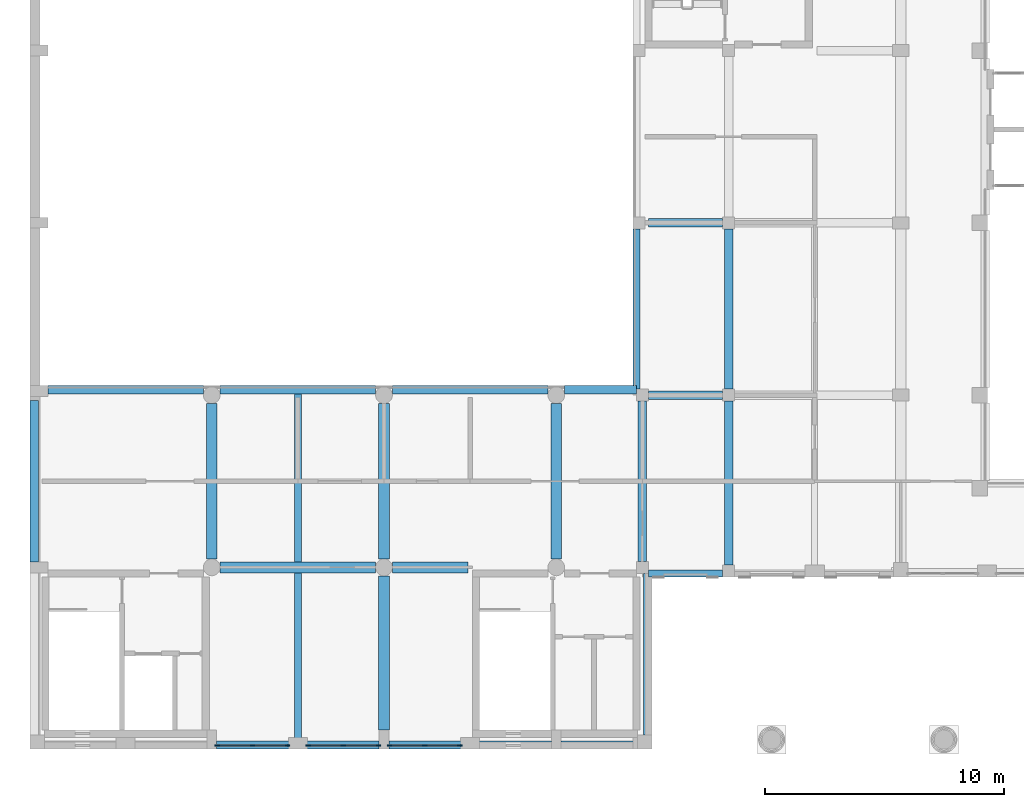
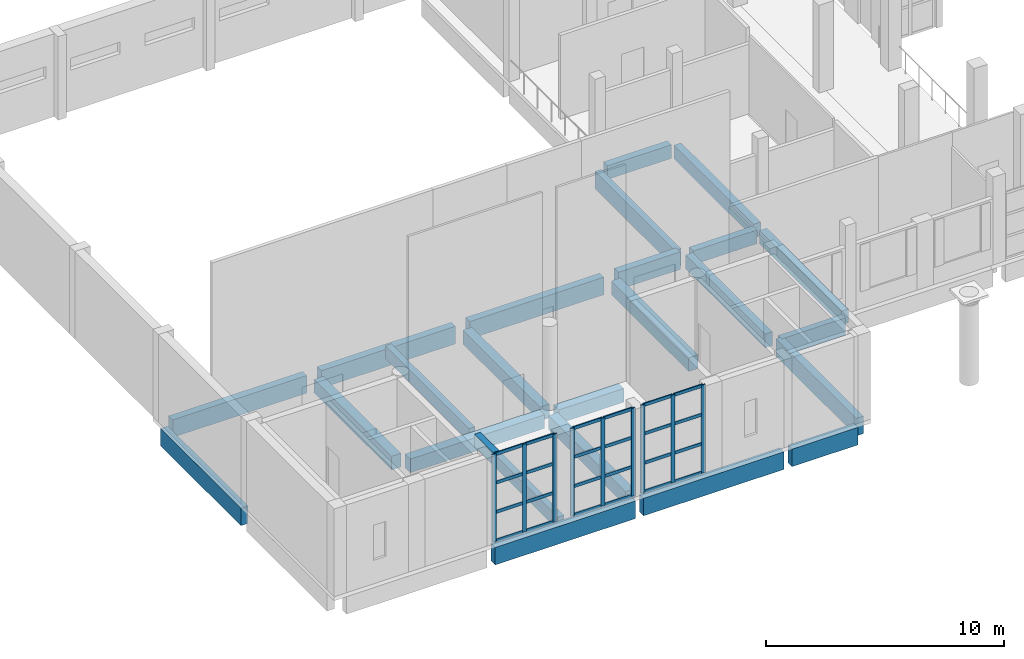
# One storey, part 3 of 59: 33 members, 24 beams, 3 elements without a shape of their own.
"""IFC4 building model written with IfcOpenShell, lengths in metres."""

from ifc_helpers import new_model, si_unit, direction, frame, origin, origin_2d, place, context, subcontext, project, spatial, rectangle, extrude, material, layer, layer_set, material_profile, profile_set, type_object, element, aggregate, save


model = new_model("IFC4")

# Units and contexts
model_context = context("Model", 3, precision=1e-05, world=origin(), true_north=direction((0.0, 1.0)))
body_context = subcontext(model_context, "Body", "Model", "MODEL_VIEW")
ifc_project = project(units=[si_unit("LENGTHUNIT", "METRE"), si_unit("AREAUNIT", "SQUARE_METRE"), si_unit("VOLUMEUNIT", "CUBIC_METRE"), si_unit("PLANEANGLEUNIT", "RADIAN"), si_unit("MASSUNIT", "GRAM", prefix="KILO")], contexts=[model_context])

# Site, building, storey
site_placement = place(None, origin())
site = spatial("IfcSite", under=ifc_project, at=site_placement, CompositionType="ELEMENT")
building_placement = place(site_placement, origin())
building = spatial("IfcBuilding", under=site, at=building_placement, Name="Ussher Court Research Institute", CompositionType="ELEMENT")
storey_placement = place(building_placement, frame((0.0, 0.0, 5.39990234375)))
storey = spatial("IfcBuildingStorey", under=building, at=storey_placement, Name="L01", CompositionType="ELEMENT", Elevation=5.39990234375)

# Curtain wall, members
ifc_material_1 = material(Name="Bronze anodised aluminium with low-e glass", Category="aluminium")
ifc_layer = layer(ifc_material_1, 0.159912109375)
ifc_layer_set = layer_set([ifc_layer], Name="Bronze anodised aluminium with low-e glass")
curtain_wall_type = type_object("IfcCurtainWallType", Name="Curtain wall lecture theatre gable glazing", PredefinedType="NOTDEFINED", material=ifc_layer_set)
curtain_wall_1_placement = place(storey_placement, origin())
curtain_wall_1 = element("IfcCurtainWall", 1, at=curtain_wall_1_placement, inside=storey, type_object=curtain_wall_type, Name="Curtain wall CW5 L01", PredefinedType="NOTDEFINED")
ifc_material_2 = material(Name="Bronze anodised aluminium", Category="aluminium")
ifc_material_profile_1 = material_profile(ifc_material_2, rectangle(XDim=0.06005859375, YDim=0.199951171875, at=origin_2d()), Name="Mullion 60x200")
ifc_profile_set_1 = profile_set([ifc_material_profile_1], Name="Bronze anodised aluminium")
member_type_1 = type_object("IfcMemberType", Name="Mullion 60x200", PredefinedType="MULLION", material=ifc_profile_set_1)
member_1_placement = place(storey_placement, frame((20.570068359375, 3.75, 0.0), z_axis=(0.0, 0.0, 1.0), x_axis=(0.0, -1.0, 0.0)))
member_1 = element("IfcMember", 2, at=member_1_placement, type_object=member_type_1, Name="CW5 mullion 1", PredefinedType="MULLION", context=body_context, shape_type="SweptSolid", body=[
    extrude(rectangle(XDim=0.06005859375, YDim=0.199951171875, at=origin_2d()), origin(), (0.0, 0.0, 1.0), 4.5),
])
member_2_placement = place(storey_placement, frame((19.10009765625, 3.75, 0.0), z_axis=(0.0, 0.0, 1.0), x_axis=(0.0, -1.0, 0.0)))
member_2 = element("IfcMember", 3, at=member_2_placement, type_object=member_type_1, Name="CW5 mullion 2", PredefinedType="MULLION", context=body_context, shape_type="SweptSolid", body=[
    extrude(rectangle(XDim=0.06005859375, YDim=0.199951171875, at=origin_2d()), origin(), (0.0, 0.0, 1.0), 4.5),
])
member_3_placement = place(storey_placement, frame((17.6298828125, 3.75, 0.0), z_axis=(0.0, 0.0, 1.0), x_axis=(0.0, -1.0, 0.0)))
member_3 = element("IfcMember", 4, at=member_3_placement, type_object=member_type_1, Name="CW5 mullion 3", PredefinedType="MULLION", context=body_context, shape_type="SweptSolid", body=[
    extrude(rectangle(XDim=0.06005859375, YDim=0.199951171875, at=origin_2d()), origin(), (0.0, 0.0, 1.0), 4.5),
])

curtain_wall_2_placement = place(storey_placement, origin())
curtain_wall_2 = element("IfcCurtainWall", 5, at=curtain_wall_2_placement, inside=storey, type_object=curtain_wall_type, Name="Curtain wall CW5 L01", PredefinedType="NOTDEFINED")
member_4_placement = place(storey_placement, frame((17.169921875, 3.75, 0.0), z_axis=(0.0, 0.0, 1.0), x_axis=(0.0, -1.0, 0.0)))
member_4 = element("IfcMember", 6, at=member_4_placement, type_object=member_type_1, Name="CW5 mullion 1", PredefinedType="MULLION", context=body_context, shape_type="SweptSolid", body=[
    extrude(rectangle(XDim=0.06005859375, YDim=0.199951171875, at=origin_2d()), origin(), (0.0, 0.0, 1.0), 4.5),
])
member_5_placement = place(storey_placement, frame((15.699951171875, 3.75, 0.0), z_axis=(0.0, 0.0, 1.0), x_axis=(0.0, -1.0, 0.0)))
member_5 = element("IfcMember", 7, at=member_5_placement, type_object=member_type_1, Name="CW5 mullion 2", PredefinedType="MULLION", context=body_context, shape_type="SweptSolid", body=[
    extrude(rectangle(XDim=0.06005859375, YDim=0.199951171875, at=origin_2d()), origin(), (0.0, 0.0, 1.0), 4.5),
])
member_6_placement = place(storey_placement, frame((14.22998046875, 3.75, 0.0), z_axis=(0.0, 0.0, 1.0), x_axis=(0.0, -1.0, 0.0)))
member_6 = element("IfcMember", 8, at=member_6_placement, type_object=member_type_1, Name="CW5 mullion 3", PredefinedType="MULLION", context=body_context, shape_type="SweptSolid", body=[
    extrude(rectangle(XDim=0.06005859375, YDim=0.199951171875, at=origin_2d()), origin(), (0.0, 0.0, 1.0), 4.5),
])

curtain_wall_3_placement = place(storey_placement, origin())
curtain_wall_3 = element("IfcCurtainWall", 9, at=curtain_wall_3_placement, inside=storey, type_object=curtain_wall_type, Name="Curtain wall CW5 L01", PredefinedType="NOTDEFINED")
member_7_placement = place(storey_placement, frame((13.3701171875, 3.75, 0.0), z_axis=(0.0, 0.0, 1.0), x_axis=(0.0, -1.0, 0.0)))
member_7 = element("IfcMember", 10, at=member_7_placement, type_object=member_type_1, Name="CW5 mullion 1", PredefinedType="MULLION", context=body_context, shape_type="SweptSolid", body=[
    extrude(rectangle(XDim=0.06005859375, YDim=0.199951171875, at=origin_2d()), origin(), (0.0, 0.0, 1.0), 4.5),
])
member_8_placement = place(storey_placement, frame((11.89990234375, 3.75, 0.0), z_axis=(0.0, 0.0, 1.0), x_axis=(0.0, -1.0, 0.0)))
member_8 = element("IfcMember", 11, at=member_8_placement, type_object=member_type_1, Name="CW5 mullion 2", PredefinedType="MULLION", context=body_context, shape_type="SweptSolid", body=[
    extrude(rectangle(XDim=0.06005859375, YDim=0.199951171875, at=origin_2d()), origin(), (0.0, 0.0, 1.0), 4.5),
])
member_9_placement = place(storey_placement, frame((10.429931640625, 3.75, 0.0), z_axis=(0.0, 0.0, 1.0), x_axis=(0.0, -1.0, 0.0)))
member_9 = element("IfcMember", 12, at=member_9_placement, type_object=member_type_1, Name="CW5 mullion 3", PredefinedType="MULLION", context=body_context, shape_type="SweptSolid", body=[
    extrude(rectangle(XDim=0.06005859375, YDim=0.199951171875, at=origin_2d()), origin(), (0.0, 0.0, 1.0), 4.5),
])

# Beams
ifc_material_3 = material(Name="Concrete C35/45", Category="concrete")
ifc_material_profile_2 = material_profile(ifc_material_3, rectangle(XDim=0.300048828125, YDim=0.64990234375, at=origin_2d()), Name="RC 300x650")
ifc_profile_set_2 = profile_set([ifc_material_profile_2], Name="Concrete C35/45")
beam_type_1 = type_object("IfcBeamType", Name="RC 300x650 beam", PredefinedType="BEAM", material=ifc_profile_set_2)
beam_1_placement = place(storey_placement, frame((13.800048828125, 3.949951171875, -0.324951171875), z_axis=(0.0, 1.0, 0.0), x_axis=(-1.0, 0.0, 0.0)))
element("IfcBeam", 13, at=beam_1_placement, inside=storey, type_object=beam_type_1, Name="B4 V1 L01-01", PredefinedType="BEAM", context=body_context, shape_type="SweptSolid", body=[
    extrude(rectangle(XDim=0.300048828125, YDim=0.64990234375, at=origin_2d()), origin(), (0.0, 0.0, 1.0), 7.025146484375),
])
beam_2_placement = place(storey_placement, frame((13.800048828125, 11.425048828125, -0.324951171875), z_axis=(0.0, 1.0, 0.0), x_axis=(-1.0, 0.0, 0.0)))
element("IfcBeam", 14, at=beam_2_placement, inside=storey, type_object=beam_type_1, Name="B4 V1 L01-02", PredefinedType="BEAM", context=body_context, shape_type="SweptSolid", body=[
    extrude(rectangle(XDim=0.300048828125, YDim=0.64990234375, at=origin_2d()), origin(), (0.0, 0.0, 1.0), 7.02490234375),
])
ifc_material_4 = material(Name="Concrete C35/45", Category="concrete")
ifc_material_profile_3 = material_profile(ifc_material_4, rectangle(XDim=0.300048828125, YDim=0.89990234375, at=origin_2d()), Name="RC 300x900")
ifc_profile_set_3 = profile_set([ifc_material_profile_3], Name="Concrete C35/45")
beam_type_2 = type_object("IfcBeamType", Name="RC 300x900 beam", PredefinedType="BEAM", material=ifc_profile_set_3)
beam_3_placement = place(storey_placement, frame((28.449951171875, 10.949951171875, -0.64990234375), z_axis=(1.0, 0.0, 0.0), x_axis=(0.0, 1.0, 0.0)))
element("IfcBeam", 15, at=beam_3_placement, inside=storey, type_object=beam_type_2, Name="SB2 V7 L01-01", PredefinedType="BEAM", context=body_context, shape_type="SweptSolid", body=[
    extrude(rectangle(XDim=0.300048828125, YDim=0.89990234375, at=origin_2d()), origin(), (0.0, 0.0, 1.0), 3.10009765625),
])
beam_4_placement = place(storey_placement, frame((27.949951171875, 18.64990234375, -0.64990234375), z_axis=(0.0, 1.0, 0.0), x_axis=(-1.0, 0.0, 0.0)))
element("IfcBeam", 16, at=beam_4_placement, inside=storey, type_object=beam_type_2, Name="SB2 V7 L01-11", PredefinedType="BEAM", context=body_context, shape_type="SweptSolid", body=[
    extrude(rectangle(XDim=0.300048828125, YDim=0.89990234375, at=origin_2d()), origin(), (0.0, 0.0, 1.0), 6.7001953125),
])
ifc_material_5 = material(Name="Concrete C35/45", Category="concrete")
ifc_material_profile_4 = material_profile(ifc_material_5, rectangle(XDim=0.35009765625, YDim=0.699951171875, at=origin_2d()), Name="RC 350x700")
ifc_profile_set_4 = profile_set([ifc_material_profile_4], Name="Concrete C35/45")
beam_type_3 = type_object("IfcBeamType", Name="RC 350x700 beam", PredefinedType="BEAM", material=ifc_profile_set_4)
for number, where, z_axis, x_axis, name in (
    (17, (28.449951171875, 18.39990234375, -0.5498046875), (1.0, 0.0, 0.0), (0.0, 1.0, 0.0), "B16 V7 L01-01"),
    (18, (28.449951171875, 25.60009765625, -0.5498046875), (1.0, 0.0, 0.0), (0.0, 1.0, 0.0), "B16 V7 L01-06"),
):
    element("IfcBeam", number, at=place(storey_placement, frame(where, z_axis=z_axis, x_axis=x_axis)), inside=storey, type_object=beam_type_3, Name=name, PredefinedType="BEAM", context=body_context, shape_type="SweptSolid", body=[
        extrude(rectangle(XDim=0.35009765625, YDim=0.699951171875, at=origin_2d()), origin(), (0.0, 0.0, 1.0), 3.10009765625),
    ])
beam_5_placement = place(storey_placement, frame((28.199951171875, 11.449951171875, -0.5498046875), z_axis=(0.0, 1.0, 0.0), x_axis=(-1.0, 0.0, 0.0)))
element("IfcBeam", 19, at=beam_5_placement, inside=storey, type_object=beam_type_3, Name="B16 V7 L01-14", PredefinedType="BEAM", context=body_context, shape_type="SweptSolid", body=[
    extrude(rectangle(XDim=0.35009765625, YDim=0.699951171875, at=origin_2d()), origin(), (0.0, 0.0, 1.0), 6.699951171875),
])
beam_6_placement = place(storey_placement, frame((31.800048828125, 11.300048828125, -0.5498046875), z_axis=(0.0, 1.0, 0.0), x_axis=(-1.0, 0.0, 0.0)))
element("IfcBeam", 20, at=beam_6_placement, inside=storey, type_object=beam_type_3, Name="B16 V7 L01-15", PredefinedType="BEAM", context=body_context, shape_type="SweptSolid", body=[
    extrude(rectangle(XDim=0.35009765625, YDim=0.699951171875, at=origin_2d()), origin(), (0.0, 0.0, 1.0), 6.849853515625),
])
beam_7_placement = place(storey_placement, frame((31.800048828125, 18.64990234375, -0.5498046875), z_axis=(0.0, 1.0, 0.0), x_axis=(-1.0, 0.0, 0.0)))
element("IfcBeam", 21, at=beam_7_placement, inside=storey, type_object=beam_type_3, Name="B16 V7 L01-16", PredefinedType="BEAM", context=body_context, shape_type="SweptSolid", body=[
    extrude(rectangle(XDim=0.35009765625, YDim=0.699951171875, at=origin_2d()), origin(), (0.0, 0.0, 1.0), 6.7001953125),
])
ifc_material_6 = material(Name="Concrete C35/45", Category="concrete")
ifc_material_profile_5 = material_profile(ifc_material_6, rectangle(XDim=0.35009765625, YDim=0.89990234375, at=origin_2d()), Name="RC 350x900")
ifc_profile_set_5 = profile_set([ifc_material_profile_5], Name="Concrete C35/45")
beam_type_4 = type_object("IfcBeamType", Name="RC 350x900 beam", PredefinedType="BEAM", material=ifc_profile_set_5)
beam_8_placement = place(storey_placement, frame((10.39990234375, 3.77490234375, -0.64990234375), z_axis=(1.0, 0.0, 0.0), x_axis=(0.0, 1.0, 0.0)))
element("IfcBeam", 22, at=beam_8_placement, inside=storey, type_object=beam_type_4, Name="SB1 V1 L01-02", PredefinedType="BEAM", context=body_context, shape_type="SweptSolid", body=[
    extrude(rectangle(XDim=0.35009765625, YDim=0.89990234375, at=origin_2d()), origin(), (0.0, 0.0, 1.0), 6.800048828125),
])
beam_9_placement = place(storey_placement, frame((17.60009765625, 3.77490234375, -0.64990234375), z_axis=(1.0, 0.0, 0.0), x_axis=(0.0, 1.0, 0.0)))
element("IfcBeam", 23, at=beam_9_placement, inside=storey, type_object=beam_type_4, Name="SB1 V1 L01-03", PredefinedType="BEAM", context=body_context, shape_type="SweptSolid", body=[
    extrude(rectangle(XDim=0.35009765625, YDim=0.89990234375, at=origin_2d()), origin(), (0.0, 0.0, 1.0), 6.7998046875),
])
beam_10_placement = place(storey_placement, frame((24.800048828125, 3.77490234375, -0.64990234375), z_axis=(1.0, 0.0, 0.0), x_axis=(0.0, 1.0, 0.0)))
element("IfcBeam", 24, at=beam_10_placement, inside=storey, type_object=beam_type_4, Name="SB1 V1 L01-04", PredefinedType="BEAM", context=body_context, shape_type="SweptSolid", body=[
    extrude(rectangle(XDim=0.35009765625, YDim=0.89990234375, at=origin_2d()), origin(), (0.0, 0.0, 1.0), 3.199951171875),
])
for number, where, z_axis, x_axis, name in (
    (25, (3.35009765625, 18.625, -0.64990234375), (1.0, 0.0, 0.0), (0.0, 1.0, 0.0), "SB1 V1 L01-05"),
    (26, (10.550048828125, 18.625, -0.64990234375), (1.0, 0.0, 0.0), (0.0, 1.0, 0.0), "SB1 V1 L01-06"),
    (27, (17.75, 18.625, -0.64990234375), (1.0, 0.0, 0.0), (0.0, 1.0, 0.0), "SB1 V1 L01-07"),
):
    element("IfcBeam", number, at=place(storey_placement, frame(where, z_axis=z_axis, x_axis=x_axis)), inside=storey, type_object=beam_type_4, Name=name, PredefinedType="BEAM", context=body_context, shape_type="SweptSolid", body=[
        extrude(rectangle(XDim=0.35009765625, YDim=0.89990234375, at=origin_2d()), origin(), (0.0, 0.0, 1.0), 6.5),
    ])
beam_11_placement = place(storey_placement, frame((24.949951171875, 18.625, -0.64990234375), z_axis=(1.0, 0.0, 0.0), x_axis=(0.0, 1.0, 0.0)))
element("IfcBeam", 28, at=beam_11_placement, inside=storey, type_object=beam_type_4, Name="SB1 V1 L01-08", PredefinedType="BEAM", context=body_context, shape_type="SweptSolid", body=[
    extrude(rectangle(XDim=0.35009765625, YDim=0.89990234375, at=origin_2d()), origin(), (0.0, 0.0, 1.0), 3.0),
])
for number, where, z_axis, x_axis, name in (
    (29, (2.77490234375, 11.425048828125, -0.64990234375), (0.0, 1.0, 0.0), (-1.0, 0.0, 0.0), "SB1 V1 L01-10"),
    (30, (28.425048828125, 4.199951171875, -0.64990234375), (0.0, 1.0, 0.0), (-1.0, 0.0, 0.0), "SB1 V1 L01-11"),
):
    element("IfcBeam", number, at=place(storey_placement, frame(where, z_axis=z_axis, x_axis=x_axis)), inside=storey, type_object=beam_type_4, Name=name, PredefinedType="BEAM", context=body_context, shape_type="SweptSolid", body=[
        extrude(rectangle(XDim=0.35009765625, YDim=0.89990234375, at=origin_2d()), origin(), (0.0, 0.0, 1.0), 6.75),
    ])
ifc_material_7 = material(Name="Concrete C35/45", Category="concrete")
ifc_material_profile_6 = material_profile(ifc_material_7, rectangle(XDim=0.449951171875, YDim=0.699951171875, at=origin_2d()), Name="RC 450x700")
ifc_profile_set_6 = profile_set([ifc_material_profile_6], Name="Concrete C35/45")
beam_type_5 = type_object("IfcBeamType", Name="RC 450x700 beam", PredefinedType="BEAM", material=ifc_profile_set_6)
beam_12_placement = place(storey_placement, frame((10.550048828125, 11.199951171875, -0.5498046875), z_axis=(1.0, 0.0, 0.0), x_axis=(0.0, 1.0, 0.0)))
element("IfcBeam", 31, at=beam_12_placement, inside=storey, type_object=beam_type_5, Name="B10 V1 L01-01", PredefinedType="BEAM", context=body_context, shape_type="SweptSolid", body=[
    extrude(rectangle(XDim=0.449951171875, YDim=0.699951171875, at=origin_2d()), origin(), (0.0, 0.0, 1.0), 6.5),
])
beam_13_placement = place(storey_placement, frame((17.75, 11.199951171875, -0.5498046875), z_axis=(1.0, 0.0, 0.0), x_axis=(0.0, 1.0, 0.0)))
element("IfcBeam", 32, at=beam_13_placement, inside=storey, type_object=beam_type_5, Name="B10 V1 L01-02", PredefinedType="BEAM", context=body_context, shape_type="SweptSolid", body=[
    extrude(rectangle(XDim=0.449951171875, YDim=0.699951171875, at=origin_2d()), origin(), (0.0, 0.0, 1.0), 3.14990234375),
])
beam_14_placement = place(storey_placement, frame((10.199951171875, 11.550048828125, -0.5498046875), z_axis=(0.0, 1.0, 0.0), x_axis=(-1.0, 0.0, 0.0)))
element("IfcBeam", 33, at=beam_14_placement, inside=storey, type_object=beam_type_5, Name="B10 V1 L01-03", PredefinedType="BEAM", context=body_context, shape_type="SweptSolid", body=[
    extrude(rectangle(XDim=0.449951171875, YDim=0.699951171875, at=origin_2d()), origin(), (0.0, 0.0, 1.0), 6.5),
])
beam_15_placement = place(storey_placement, frame((17.39990234375, 4.39990234375, -0.5498046875), z_axis=(0.0, 1.0, 0.0), x_axis=(-1.0, 0.0, 0.0)))
element("IfcBeam", 34, at=beam_15_placement, inside=storey, type_object=beam_type_5, Name="B10 V1 L01-04", PredefinedType="BEAM", context=body_context, shape_type="SweptSolid", body=[
    extrude(rectangle(XDim=0.449951171875, YDim=0.699951171875, at=origin_2d()), origin(), (0.0, 0.0, 1.0), 6.4501953125),
])
for number, where, z_axis, x_axis, name in (
    (35, (17.39990234375, 11.550048828125, -0.5498046875), (0.0, 1.0, 0.0), (-1.0, 0.0, 0.0), "B10 V1 L01-05"),
    (36, (24.60009765625, 11.550048828125, -0.5498046875), (0.0, 1.0, 0.0), (-1.0, 0.0, 0.0), "B10 V1 L01-06"),
):
    element("IfcBeam", number, at=place(storey_placement, frame(where, z_axis=z_axis, x_axis=x_axis)), inside=storey, type_object=beam_type_5, Name=name, PredefinedType="BEAM", context=body_context, shape_type="SweptSolid", body=[
        extrude(rectangle(XDim=0.449951171875, YDim=0.699951171875, at=origin_2d()), origin(), (0.0, 0.0, 1.0), 6.5),
    ])

# Member
ifc_material_8 = material(Name="Bronze anodised aluminium", Category="aluminium")
ifc_material_profile_7 = material_profile(ifc_material_8, rectangle(XDim=0.06005859375, YDim=0.159912109375, at=origin_2d()), Name="Transom 60x160")
ifc_profile_set_7 = profile_set([ifc_material_profile_7], Name="Bronze anodised aluminium")
member_type_2 = type_object("IfcMemberType", Name="Transom 60x160", PredefinedType="USERDEFINED", material=ifc_profile_set_7)
member_10_placement = place(storey_placement, frame((20.5400390625, 3.75, 0.030029296875), z_axis=(-1.0, 0.0, 0.0), x_axis=(0.0, -1.0, 0.0)))
member_10 = element("IfcMember", 37, at=member_10_placement, type_object=member_type_2, Name="CW5 transom 1.1", ObjectType="TRANSOM", PredefinedType="USERDEFINED", context=body_context, shape_type="SweptSolid", body=[
    extrude(rectangle(XDim=0.06005859375, YDim=0.159912109375, at=origin_2d()), origin(), (0.0, 0.0, 1.0), 1.41015625),
])

member_11_placement = place(storey_placement, frame((20.5400390625, 3.75, 1.5), z_axis=(-1.0, 0.0, 0.0), x_axis=(0.0, -1.0, 0.0)))
member_11 = element("IfcMember", 38, at=member_11_placement, type_object=member_type_2, Name="CW5 transom 1.2", ObjectType="TRANSOM", PredefinedType="USERDEFINED", context=body_context, shape_type="SweptSolid", body=[
    extrude(rectangle(XDim=0.06005859375, YDim=0.159912109375, at=origin_2d()), origin(), (0.0, 0.0, 1.0), 1.41015625),
])

member_12_placement = place(storey_placement, frame((20.5400390625, 3.75, 3.0), z_axis=(-1.0, 0.0, 0.0), x_axis=(0.0, -1.0, 0.0)))
member_12 = element("IfcMember", 39, at=member_12_placement, type_object=member_type_2, Name="CW5 transom 1.3", ObjectType="TRANSOM", PredefinedType="USERDEFINED", context=body_context, shape_type="SweptSolid", body=[
    extrude(rectangle(XDim=0.06005859375, YDim=0.159912109375, at=origin_2d()), origin(), (0.0, 0.0, 1.0), 1.41015625),
])

member_13_placement = place(storey_placement, frame((20.5400390625, 3.75, 4.47021484375), z_axis=(-1.0, 0.0, 0.0), x_axis=(0.0, -1.0, 0.0)))
member_13 = element("IfcMember", 40, at=member_13_placement, type_object=member_type_2, Name="CW5 transom 1.4", ObjectType="TRANSOM", PredefinedType="USERDEFINED", context=body_context, shape_type="SweptSolid", body=[
    extrude(rectangle(XDim=0.06005859375, YDim=0.159912109375, at=origin_2d()), origin(), (0.0, 0.0, 1.0), 1.41015625),
])

member_14_placement = place(storey_placement, frame((19.070068359375, 3.75, 0.030029296875), z_axis=(-1.0, 0.0, 0.0), x_axis=(0.0, -1.0, 0.0)))
member_14 = element("IfcMember", 41, at=member_14_placement, type_object=member_type_2, Name="CW5 transom 2.1", ObjectType="TRANSOM", PredefinedType="USERDEFINED", context=body_context, shape_type="SweptSolid", body=[
    extrude(rectangle(XDim=0.06005859375, YDim=0.159912109375, at=origin_2d()), origin(), (0.0, 0.0, 1.0), 1.41015625),
])

member_15_placement = place(storey_placement, frame((19.070068359375, 3.75, 1.5), z_axis=(-1.0, 0.0, 0.0), x_axis=(0.0, -1.0, 0.0)))
member_15 = element("IfcMember", 42, at=member_15_placement, type_object=member_type_2, Name="CW5 transom 2.2", ObjectType="TRANSOM", PredefinedType="USERDEFINED", context=body_context, shape_type="SweptSolid", body=[
    extrude(rectangle(XDim=0.06005859375, YDim=0.159912109375, at=origin_2d()), origin(), (0.0, 0.0, 1.0), 1.41015625),
])

member_16_placement = place(storey_placement, frame((19.070068359375, 3.75, 3.0), z_axis=(-1.0, 0.0, 0.0), x_axis=(0.0, -1.0, 0.0)))
member_16 = element("IfcMember", 43, at=member_16_placement, type_object=member_type_2, Name="CW5 transom 2.3", ObjectType="TRANSOM", PredefinedType="USERDEFINED", context=body_context, shape_type="SweptSolid", body=[
    extrude(rectangle(XDim=0.06005859375, YDim=0.159912109375, at=origin_2d()), origin(), (0.0, 0.0, 1.0), 1.41015625),
])

member_17_placement = place(storey_placement, frame((19.070068359375, 3.75, 4.47021484375), z_axis=(-1.0, 0.0, 0.0), x_axis=(0.0, -1.0, 0.0)))
member_17 = element("IfcMember", 44, at=member_17_placement, type_object=member_type_2, Name="CW5 transom 2.4", ObjectType="TRANSOM", PredefinedType="USERDEFINED", context=body_context, shape_type="SweptSolid", body=[
    extrude(rectangle(XDim=0.06005859375, YDim=0.159912109375, at=origin_2d()), origin(), (0.0, 0.0, 1.0), 1.41015625),
])

aggregate(curtain_wall_1, [member_1, member_2, member_3, member_10, member_11, member_12, member_13, member_14, member_15, member_16, member_17])

member_18_placement = place(storey_placement, frame((17.139892578125, 3.75, 0.030029296875), z_axis=(-1.0, 0.0, 0.0), x_axis=(0.0, -1.0, 0.0)))
member_18 = element("IfcMember", 45, at=member_18_placement, type_object=member_type_2, Name="CW5 transom 1.1", ObjectType="TRANSOM", PredefinedType="USERDEFINED", context=body_context, shape_type="SweptSolid", body=[
    extrude(rectangle(XDim=0.06005859375, YDim=0.159912109375, at=origin_2d()), origin(), (0.0, 0.0, 1.0), 1.409912109375),
])

member_19_placement = place(storey_placement, frame((17.139892578125, 3.75, 1.5), z_axis=(-1.0, 0.0, 0.0), x_axis=(0.0, -1.0, 0.0)))
member_19 = element("IfcMember", 46, at=member_19_placement, type_object=member_type_2, Name="CW5 transom 1.2", ObjectType="TRANSOM", PredefinedType="USERDEFINED", context=body_context, shape_type="SweptSolid", body=[
    extrude(rectangle(XDim=0.06005859375, YDim=0.159912109375, at=origin_2d()), origin(), (0.0, 0.0, 1.0), 1.409912109375),
])

member_20_placement = place(storey_placement, frame((17.139892578125, 3.75, 3.0), z_axis=(-1.0, 0.0, 0.0), x_axis=(0.0, -1.0, 0.0)))
member_20 = element("IfcMember", 47, at=member_20_placement, type_object=member_type_2, Name="CW5 transom 1.3", ObjectType="TRANSOM", PredefinedType="USERDEFINED", context=body_context, shape_type="SweptSolid", body=[
    extrude(rectangle(XDim=0.06005859375, YDim=0.159912109375, at=origin_2d()), origin(), (0.0, 0.0, 1.0), 1.409912109375),
])

member_21_placement = place(storey_placement, frame((17.139892578125, 3.75, 4.47021484375), z_axis=(-1.0, 0.0, 0.0), x_axis=(0.0, -1.0, 0.0)))
member_21 = element("IfcMember", 48, at=member_21_placement, type_object=member_type_2, Name="CW5 transom 1.4", ObjectType="TRANSOM", PredefinedType="USERDEFINED", context=body_context, shape_type="SweptSolid", body=[
    extrude(rectangle(XDim=0.06005859375, YDim=0.159912109375, at=origin_2d()), origin(), (0.0, 0.0, 1.0), 1.409912109375),
])

member_22_placement = place(storey_placement, frame((15.669921875, 3.75, 0.030029296875), z_axis=(-1.0, 0.0, 0.0), x_axis=(0.0, -1.0, 0.0)))
member_22 = element("IfcMember", 49, at=member_22_placement, type_object=member_type_2, Name="CW5 transom 2.1", ObjectType="TRANSOM", PredefinedType="USERDEFINED", context=body_context, shape_type="SweptSolid", body=[
    extrude(rectangle(XDim=0.06005859375, YDim=0.159912109375, at=origin_2d()), origin(), (0.0, 0.0, 1.0), 1.409912109375),
])

member_23_placement = place(storey_placement, frame((15.669921875, 3.75, 1.5), z_axis=(-1.0, 0.0, 0.0), x_axis=(0.0, -1.0, 0.0)))
member_23 = element("IfcMember", 50, at=member_23_placement, type_object=member_type_2, Name="CW5 transom 2.2", ObjectType="TRANSOM", PredefinedType="USERDEFINED", context=body_context, shape_type="SweptSolid", body=[
    extrude(rectangle(XDim=0.06005859375, YDim=0.159912109375, at=origin_2d()), origin(), (0.0, 0.0, 1.0), 1.409912109375),
])

member_24_placement = place(storey_placement, frame((15.669921875, 3.75, 3.0), z_axis=(-1.0, 0.0, 0.0), x_axis=(0.0, -1.0, 0.0)))
member_24 = element("IfcMember", 51, at=member_24_placement, type_object=member_type_2, Name="CW5 transom 2.3", ObjectType="TRANSOM", PredefinedType="USERDEFINED", context=body_context, shape_type="SweptSolid", body=[
    extrude(rectangle(XDim=0.06005859375, YDim=0.159912109375, at=origin_2d()), origin(), (0.0, 0.0, 1.0), 1.409912109375),
])

member_25_placement = place(storey_placement, frame((15.669921875, 3.75, 4.47021484375), z_axis=(-1.0, 0.0, 0.0), x_axis=(0.0, -1.0, 0.0)))
member_25 = element("IfcMember", 52, at=member_25_placement, type_object=member_type_2, Name="CW5 transom 2.4", ObjectType="TRANSOM", PredefinedType="USERDEFINED", context=body_context, shape_type="SweptSolid", body=[
    extrude(rectangle(XDim=0.06005859375, YDim=0.159912109375, at=origin_2d()), origin(), (0.0, 0.0, 1.0), 1.409912109375),
])

aggregate(curtain_wall_2, [member_4, member_5, member_6, member_18, member_19, member_20, member_21, member_22, member_23, member_24, member_25])

member_26_placement = place(storey_placement, frame((13.340087890625, 3.75, 0.030029296875), z_axis=(-1.0, 0.0, 0.0), x_axis=(0.0, -1.0, 0.0)))
member_26 = element("IfcMember", 53, at=member_26_placement, type_object=member_type_2, Name="CW5 transom 1.1", ObjectType="TRANSOM", PredefinedType="USERDEFINED", context=body_context, shape_type="SweptSolid", body=[
    extrude(rectangle(XDim=0.06005859375, YDim=0.159912109375, at=origin_2d()), origin(), (0.0, 0.0, 1.0), 1.41015625),
])

member_27_placement = place(storey_placement, frame((13.340087890625, 3.75, 1.5), z_axis=(-1.0, 0.0, 0.0), x_axis=(0.0, -1.0, 0.0)))
member_27 = element("IfcMember", 54, at=member_27_placement, type_object=member_type_2, Name="CW5 transom 1.2", ObjectType="TRANSOM", PredefinedType="USERDEFINED", context=body_context, shape_type="SweptSolid", body=[
    extrude(rectangle(XDim=0.06005859375, YDim=0.159912109375, at=origin_2d()), origin(), (0.0, 0.0, 1.0), 1.41015625),
])

member_28_placement = place(storey_placement, frame((13.340087890625, 3.75, 3.0), z_axis=(-1.0, 0.0, 0.0), x_axis=(0.0, -1.0, 0.0)))
member_28 = element("IfcMember", 55, at=member_28_placement, type_object=member_type_2, Name="CW5 transom 1.3", ObjectType="TRANSOM", PredefinedType="USERDEFINED", context=body_context, shape_type="SweptSolid", body=[
    extrude(rectangle(XDim=0.06005859375, YDim=0.159912109375, at=origin_2d()), origin(), (0.0, 0.0, 1.0), 1.41015625),
])

member_29_placement = place(storey_placement, frame((13.340087890625, 3.75, 4.47021484375), z_axis=(-1.0, 0.0, 0.0), x_axis=(0.0, -1.0, 0.0)))
member_29 = element("IfcMember", 56, at=member_29_placement, type_object=member_type_2, Name="CW5 transom 1.4", ObjectType="TRANSOM", PredefinedType="USERDEFINED", context=body_context, shape_type="SweptSolid", body=[
    extrude(rectangle(XDim=0.06005859375, YDim=0.159912109375, at=origin_2d()), origin(), (0.0, 0.0, 1.0), 1.41015625),
])

member_30_placement = place(storey_placement, frame((11.8701171875, 3.75, 0.030029296875), z_axis=(-1.0, 0.0, 0.0), x_axis=(0.0, -1.0, 0.0)))
member_30 = element("IfcMember", 57, at=member_30_placement, type_object=member_type_2, Name="CW5 transom 2.1", ObjectType="TRANSOM", PredefinedType="USERDEFINED", context=body_context, shape_type="SweptSolid", body=[
    extrude(rectangle(XDim=0.06005859375, YDim=0.159912109375, at=origin_2d()), origin(), (0.0, 0.0, 1.0), 1.41015625),
])

member_31_placement = place(storey_placement, frame((11.8701171875, 3.75, 1.5), z_axis=(-1.0, 0.0, 0.0), x_axis=(0.0, -1.0, 0.0)))
member_31 = element("IfcMember", 58, at=member_31_placement, type_object=member_type_2, Name="CW5 transom 2.2", ObjectType="TRANSOM", PredefinedType="USERDEFINED", context=body_context, shape_type="SweptSolid", body=[
    extrude(rectangle(XDim=0.06005859375, YDim=0.159912109375, at=origin_2d()), origin(), (0.0, 0.0, 1.0), 1.41015625),
])

member_32_placement = place(storey_placement, frame((11.8701171875, 3.75, 3.0), z_axis=(-1.0, 0.0, 0.0), x_axis=(0.0, -1.0, 0.0)))
member_32 = element("IfcMember", 59, at=member_32_placement, type_object=member_type_2, Name="CW5 transom 2.3", ObjectType="TRANSOM", PredefinedType="USERDEFINED", context=body_context, shape_type="SweptSolid", body=[
    extrude(rectangle(XDim=0.06005859375, YDim=0.159912109375, at=origin_2d()), origin(), (0.0, 0.0, 1.0), 1.41015625),
])

member_33_placement = place(storey_placement, frame((11.8701171875, 3.75, 4.47021484375), z_axis=(-1.0, 0.0, 0.0), x_axis=(0.0, -1.0, 0.0)))
member_33 = element("IfcMember", 60, at=member_33_placement, type_object=member_type_2, Name="CW5 transom 2.4", ObjectType="TRANSOM", PredefinedType="USERDEFINED", context=body_context, shape_type="SweptSolid", body=[
    extrude(rectangle(XDim=0.06005859375, YDim=0.159912109375, at=origin_2d()), origin(), (0.0, 0.0, 1.0), 1.41015625),
])

aggregate(curtain_wall_3, [member_7, member_8, member_9, member_26, member_27, member_28, member_29, member_30, member_31, member_32, member_33])

save(model, "model.ifc")
